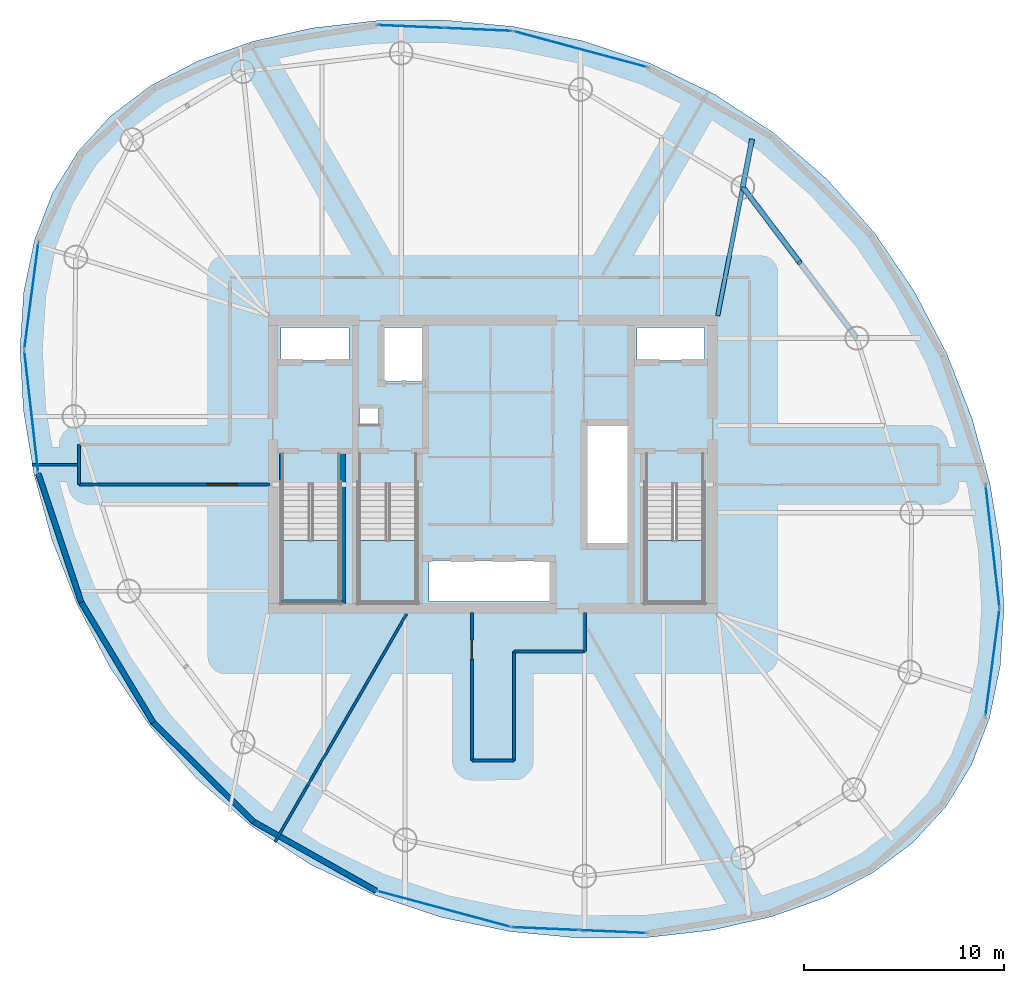
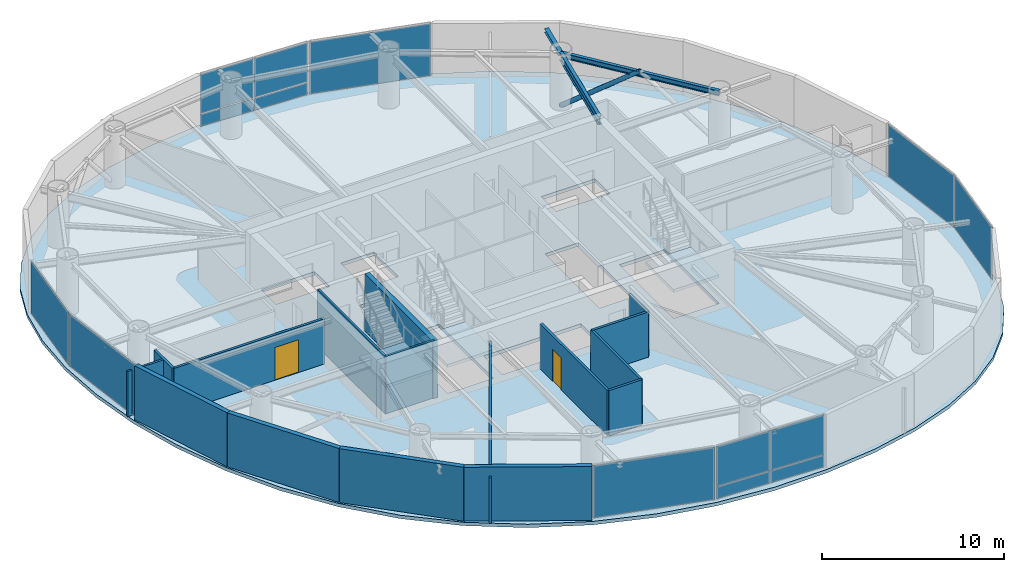
# One storey, part 13 of 20: 16 walls, 14 plates, 4 slabs, 3 beams, 2 doors, 1 member, 2 openings, 11 elements without a shape of their own.
"""IFC4 building model written with IfcOpenShell, lengths in metres."""

from ifc_helpers import new_model, si_unit, direction, frame, frame_2d, origin, origin_2d, place, context, subcontext, project, spatial, polyline, rectangle, hollow_circle, i_section, outline, extrude, material, layer, layer_set, material_profile, profile_set, type_object, element, fill, aggregate, save


model = new_model("IFC4")

# Units and contexts
model_context = context("Model", 3, precision=1e-05, world=origin(), true_north=direction((0.0, 1.0)))
body_context = subcontext(model_context, "Body", "Model", "MODEL_VIEW")
ifc_project = project(units=[si_unit("LENGTHUNIT", "METRE"), si_unit("AREAUNIT", "SQUARE_METRE"), si_unit("VOLUMEUNIT", "CUBIC_METRE"), si_unit("PLANEANGLEUNIT", "RADIAN"), si_unit("MASSUNIT", "GRAM", prefix="KILO")], contexts=[model_context])

# Site, building, storey
site_placement = place(None, origin())
site = spatial("IfcSite", under=ifc_project, at=site_placement, CompositionType="ELEMENT")
building_placement = place(site_placement, origin())
building = spatial("IfcBuilding", under=site, at=building_placement, Name="Bramvorn Convention Spire", CompositionType="ELEMENT")
storey_placement = place(building_placement, frame((0.0, 0.0, 178.89990234375)))
storey = spatial("IfcBuildingStorey", under=building, at=storey_placement, Name="L45", CompositionType="ELEMENT", Elevation=178.89990234375)

# Beams
ifc_material_1 = material(Name="Steel CSA G40.21 Grade 350 (350W)", Category="steel")
ifc_material_profile_1 = material_profile(ifc_material_1, i_section(OverallWidth=0.25390625, OverallDepth=0.2529296875, WebThickness=0.008544921875, FlangeThickness=0.01416015625, FilletRadius=0.011962890625, at=origin_2d()))
ifc_profile_set_1 = profile_set([ifc_material_profile_1], Name="Steel CSA G40.21 Grade 350 (350W) - W250X73")
beam_type_1 = type_object("IfcBeamType", Name="BM-W250X73", PredefinedType="BEAM", material=ifc_profile_set_1)
beam_1_placement = place(storey_placement, frame((50.501953125, 39.885009765625, 3.45849609375), z_axis=(0.191005953016, 0.981588878254, 0.0), x_axis=(-0.981588878254, 0.191005953016, 0.0)))
element("IfcBeam", 1, at=beam_1_placement, inside=storey, type_object=beam_type_1, Name="L45 slab-edge cantilever tip beam MC05", PredefinedType="BEAM", context=body_context, shape_type="SweptSolid", body=[
    extrude(i_section(OverallWidth=0.25390625, OverallDepth=0.2529296875, WebThickness=0.008544921875, FlangeThickness=0.01416015625, FilletRadius=0.011962890625, at=origin_2d()), origin(), (0.0, 0.0, 1.0), 2.445068359375),
])
ifc_material_profile_2 = material_profile(ifc_material_1, i_section(OverallWidth=0.205078125, OverallDepth=0.35400390625, WebThickness=0.009521484375, FlangeThickness=0.016845703125, FilletRadius=0.014892578125, at=origin_2d()))
ifc_profile_set_2 = profile_set([ifc_material_profile_2], Name="Steel CSA G40.21 Grade 350 (350W) - W360X79")
beam_type_2 = type_object("IfcBeamType", Name="BM-W360X79", PredefinedType="JOIST", material=ifc_profile_set_2)
beam_2_placement = place(storey_placement, frame((56.21044921875, 32.327392578125, 3.443115234375), z_axis=(-0.602718581414, 0.797953827999, 0.0), x_axis=(-0.797953827999, -0.602718581414, 0.0)))
element("IfcBeam", 2, at=beam_2_placement, inside=storey, type_object=beam_type_2, Name="L45 mega-column ring beam 04", PredefinedType="JOIST", context=body_context, shape_type="SweptSolid", body=[
    extrude(i_section(OverallWidth=0.205078125, OverallDepth=0.35400390625, WebThickness=0.009521484375, FlangeThickness=0.016845703125, FilletRadius=0.014892578125, at=origin_2d()), origin(), (0.0, 0.0, 1.0), 9.47119140625),
])
ifc_material_profile_3 = material_profile(ifc_material_1, i_section(OverallWidth=0.2119140625, OverallDepth=0.5439453125, WebThickness=0.01318359375, FlangeThickness=0.021240234375, FilletRadius=0.01904296875, at=origin_2d()))
ifc_profile_set_3 = profile_set([ifc_material_profile_3], Name="Steel CSA G40.21 Grade 350 (350W) - W530X123")
beam_type_3 = type_object("IfcBeamType", Name="BM-W530X123", PredefinedType="BEAM", material=ifc_profile_set_3)
beam_3_placement = place(storey_placement, frame((49.25, 33.449951171875, 3.34814453125), z_axis=(0.190971329886, 0.981595614885, 0.0), x_axis=(-0.981595614885, 0.190971329886, 0.0)))
element("IfcBeam", 3, at=beam_3_placement, inside=storey, type_object=beam_type_3, Name="L45 radial floor girder MC05", PredefinedType="BEAM", context=body_context, shape_type="SweptSolid", body=[
    extrude(i_section(OverallWidth=0.2119140625, OverallDepth=0.5439453125, WebThickness=0.01318359375, FlangeThickness=0.021240234375, FilletRadius=0.01904296875, at=origin_2d()), origin(), (0.0, 0.0, 1.0), 6.5556640625),
])

# Member
ifc_material_profile_4 = material_profile(ifc_material_1, hollow_circle(Radius=0.136474609375, WallThickness=0.0126953125, at=origin_2d()))
ifc_profile_set_4 = profile_set([ifc_material_profile_4], Name="Steel CSA G40.21 Grade 350 (350W) - CHS273X13")
member_type = type_object("IfcMemberType", Name="MBR-CHS273X13", PredefinedType="BRACE", material=ifc_profile_set_4)
member_placement = place(storey_placement, frame((50.501953125, 39.885009765625, 0.0), z_axis=(0.478834801206, -0.633941070316, 0.607318658137), x_axis=(0.797953827999, 0.602718581414, 0.0)))
element("IfcMember", 4, at=member_placement, inside=storey, type_object=member_type, Name="L45 perimeter Gothic lancet brace 4B", PredefinedType="BRACE", context=body_context, shape_type="SweptSolid", body=[
    extrude(hollow_circle(Radius=0.136474609375, WallThickness=0.0126953125, at=origin_2d()), origin(), (0.0, 0.0, 1.0), 5.9609375),
])

# Curtain wall, plate
ifc_material_2 = material(Name="Anodised Bronze Unitised Curtain Wall", Category="aluminium")
ifc_layer_1 = layer(ifc_material_2, 0.179931640625)
ifc_layer_set_1 = layer_set([ifc_layer_1], Name="Anodised Bronze Unitised Curtain Wall - CW-OFF-FRIT")
curtain_wall_type = type_object("IfcCurtainWallType", Name="CW-OFF-FRIT", PredefinedType="USERDEFINED", material=ifc_layer_set_1)
curtain_wall_1_placement = place(storey_placement, origin())
curtain_wall_1 = element("IfcCurtainWall", 5, at=curtain_wall_1_placement, inside=storey, type_object=curtain_wall_type, Name="L45 fritted glass curtain wall 02", ObjectType="UNITISED CURTAIN WALL", PredefinedType="USERDEFINED")
ifc_material_3 = material(Name="Laminated Low-E Glass (Triple IGU Solar Bronze Frit 28%)", Category="glass")
ifc_layer_2 = layer(ifc_material_3, 0.0400390625)
ifc_layer_set_2 = layer_set([ifc_layer_2], Name="Laminated Low-E Glass (Triple IGU Solar Bronze Frit 28%) - PNL-IGU-3")
plate_type = type_object("IfcPlateType", Name="PNL-IGU-3", PredefinedType="CURTAIN_PANEL", material=ifc_layer_set_2)
plate_1_placement = place(storey_placement, frame((62.998779296875, 16.10595703125, 0.06005859375), z_axis=(0.0, 0.0, 1.0), x_axis=(-0.13045782618, -0.991453859536, 0.0)))
plate_1 = element("IfcPlate", 6, at=plate_1_placement, type_object=plate_type, Name="CW3 panel 1.1", PredefinedType="CURTAIN_PANEL", context=body_context, shape_type="SweptSolid", body=[
    extrude(rectangle(XDim=5.344482421875, YDim=0.028076171875, at=origin_2d()), origin(), (0.0, 0.0, 1.0), 3.5),
])
aggregate(curtain_wall_1, [plate_1])

curtain_wall_2_placement = place(storey_placement, origin())
curtain_wall_2 = element("IfcCurtainWall", 7, at=curtain_wall_2_placement, inside=storey, type_object=curtain_wall_type, Name="L45 fritted glass curtain wall 03", ObjectType="UNITISED CURTAIN WALL", PredefinedType="USERDEFINED")
plate_2_placement = place(storey_placement, frame((63.00439453125, 21.908447265625, 0.06005859375), z_axis=(0.0, 0.0, 1.0), x_axis=(0.112714008999, -0.993627471528, 0.0)))
plate_2 = element("IfcPlate", 8, at=plate_2_placement, type_object=plate_type, Name="CW3 panel 1.1", PredefinedType="CURTAIN_PANEL", context=body_context, shape_type="SweptSolid", body=[
    extrude(rectangle(XDim=6.1064453125, YDim=0.028076171875, at=origin_2d()), origin(), (0.0, 0.0, 1.0), 3.5),
])
aggregate(curtain_wall_2, [plate_2])

curtain_wall_3_placement = place(storey_placement, origin())
curtain_wall_3 = element("IfcCurtainWall", 9, at=curtain_wall_3_placement, inside=storey, type_object=curtain_wall_type, Name="L45 fritted glass curtain wall 08", ObjectType="UNITISED CURTAIN WALL", PredefinedType="USERDEFINED")
plate_3_placement = place(storey_placement, frame((42.36767578125, 46.783447265625, 0.06005859375), z_axis=(0.0, 0.0, 1.0), x_axis=(0.965657571888, -0.259818116875, 0.0)))
plate_3 = element("IfcPlate", 10, at=plate_3_placement, type_object=plate_type, Name="CW3 panel 1.1", PredefinedType="CURTAIN_PANEL", context=body_context, shape_type="SweptSolid", body=[
    extrude(rectangle(XDim=6.897705078125, YDim=0.028076171875, at=origin_2d()), origin(), (0.0, 0.0, 1.0), 3.5),
])
aggregate(curtain_wall_3, [plate_3])

# Curtain wall, plates
curtain_wall_4_placement = place(storey_placement, origin())
curtain_wall_4 = element("IfcCurtainWall", 11, at=curtain_wall_4_placement, inside=storey, type_object=curtain_wall_type, Name="L45 fritted glass curtain wall 09", ObjectType="UNITISED CURTAIN WALL", PredefinedType="USERDEFINED")
plate_4_placement = place(storey_placement, frame((33.910888671875, 47.916259765625, 0.06005859375), z_axis=(0.0, 0.0, 1.0), x_axis=(0.999050392878, -0.043569628081, 0.0)))
plate_4 = element("IfcPlate", 12, at=plate_4_placement, type_object=plate_type, Name="CW3 panel 1.1", PredefinedType="CURTAIN_PANEL", context=body_context, shape_type="SweptSolid", body=[
    extrude(rectangle(XDim=3.30224609375, YDim=0.028076171875, at=origin_2d()), origin(), (0.0, 0.0, 1.0), 0.81005859375),
])
plate_5_placement = place(storey_placement, frame((33.910888671875, 47.916259765625, 0.93017578125), z_axis=(0.0, 0.0, 1.0), x_axis=(0.999050392878, -0.043569628081, 0.0)))
plate_5 = element("IfcPlate", 13, at=plate_5_placement, type_object=plate_type, Name="CW3 panel 1.2", PredefinedType="CURTAIN_PANEL", context=body_context, shape_type="SweptSolid", body=[
    extrude(rectangle(XDim=3.30224609375, YDim=0.028076171875, at=origin_2d()), origin(), (0.0, 0.0, 1.0), 2.6298828125),
])
plate_6_placement = place(storey_placement, frame((37.269775390625, 47.769775390625, 0.06005859375), z_axis=(0.0, 0.0, 1.0), x_axis=(0.999050392878, -0.043569628081, 0.0)))
plate_6 = element("IfcPlate", 14, at=plate_6_placement, type_object=plate_type, Name="CW3 panel 2.1", PredefinedType="CURTAIN_PANEL", context=body_context, shape_type="SweptSolid", body=[
    extrude(rectangle(XDim=3.30224609375, YDim=0.028076171875, at=origin_2d()), origin(), (0.0, 0.0, 1.0), 0.81005859375),
])
plate_7_placement = place(storey_placement, frame((37.269775390625, 47.769775390625, 0.93017578125), z_axis=(0.0, 0.0, 1.0), x_axis=(0.999050392878, -0.043569628081, 0.0)))
plate_7 = element("IfcPlate", 15, at=plate_7_placement, type_object=plate_type, Name="CW3 panel 2.2", PredefinedType="CURTAIN_PANEL", context=body_context, shape_type="SweptSolid", body=[
    extrude(rectangle(XDim=3.30224609375, YDim=0.028076171875, at=origin_2d()), origin(), (0.0, 0.0, 1.0), 2.6298828125),
])
aggregate(curtain_wall_4, [plate_4, plate_5, plate_6, plate_7])

# Curtain wall, plate
curtain_wall_5_placement = place(storey_placement, origin())
curtain_wall_5 = element("IfcCurtainWall", 16, at=curtain_wall_5_placement, inside=storey, type_object=curtain_wall_type, Name="L45 fritted glass curtain wall 14", ObjectType="UNITISED CURTAIN WALL", PredefinedType="USERDEFINED")
plate_8_placement = place(storey_placement, frame((14.916748046875, 34.447998046875, 0.06005859375), z_axis=(0.0, 0.0, 1.0), x_axis=(0.130460193143, 0.991453548082, 0.0)))
plate_8 = element("IfcPlate", 17, at=plate_8_placement, type_object=plate_type, Name="CW3 panel 1.1", PredefinedType="CURTAIN_PANEL", context=body_context, shape_type="SweptSolid", body=[
    extrude(rectangle(XDim=5.344482421875, YDim=0.028076171875, at=origin_2d()), origin(), (0.0, 0.0, 1.0), 3.5),
])
aggregate(curtain_wall_5, [plate_8])

curtain_wall_6_placement = place(storey_placement, origin())
curtain_wall_6 = element("IfcCurtainWall", 18, at=curtain_wall_6_placement, inside=storey, type_object=curtain_wall_type, Name="L45 fritted glass curtain wall 15", ObjectType="UNITISED CURTAIN WALL", PredefinedType="USERDEFINED")
plate_9_placement = place(storey_placement, frame((14.9111328125, 28.645751953125, 0.06005859375), z_axis=(0.0, 0.0, 1.0), x_axis=(-0.112698152297, 0.993629270135, 0.0)))
plate_9 = element("IfcPlate", 19, at=plate_9_placement, type_object=plate_type, Name="CW3 panel 1.1", PredefinedType="CURTAIN_PANEL", context=body_context, shape_type="SweptSolid", body=[
    extrude(rectangle(XDim=6.1064453125, YDim=0.028076171875, at=origin_2d()), origin(), (0.0, 0.0, 1.0), 3.5),
])
aggregate(curtain_wall_6, [plate_9])

curtain_wall_7_placement = place(storey_placement, origin())
curtain_wall_7 = element("IfcCurtainWall", 20, at=curtain_wall_7_placement, inside=storey, type_object=curtain_wall_type, Name="L45 fritted glass curtain wall 20", ObjectType="UNITISED CURTAIN WALL", PredefinedType="USERDEFINED")
plate_10_placement = place(storey_placement, frame((35.5478515625, 3.7705078125, 0.06005859375), z_axis=(0.0, 0.0, 1.0), x_axis=(-0.965653996581, 0.259831404738, 0.0)))
plate_10 = element("IfcPlate", 21, at=plate_10_placement, type_object=plate_type, Name="CW3 panel 1.1", PredefinedType="CURTAIN_PANEL", context=body_context, shape_type="SweptSolid", body=[
    extrude(rectangle(XDim=6.897705078125, YDim=0.028076171875, at=origin_2d()), origin(), (0.0, 0.0, 1.0), 3.5),
])
aggregate(curtain_wall_7, [plate_10])

# Curtain wall, plates
curtain_wall_8_placement = place(storey_placement, origin())
curtain_wall_8 = element("IfcCurtainWall", 22, at=curtain_wall_8_placement, inside=storey, type_object=curtain_wall_type, Name="L45 fritted glass curtain wall 21", ObjectType="UNITISED CURTAIN WALL", PredefinedType="USERDEFINED")
plate_11_placement = place(storey_placement, frame((44.004638671875, 2.6376953125, 0.06005859375), z_axis=(0.0, 0.0, 1.0), x_axis=(-0.999051034349, 0.043554916664, 0.0)))
plate_11 = element("IfcPlate", 23, at=plate_11_placement, type_object=plate_type, Name="CW3 panel 1.1", PredefinedType="CURTAIN_PANEL", context=body_context, shape_type="SweptSolid", body=[
    extrude(rectangle(XDim=3.30224609375, YDim=0.028076171875, at=origin_2d()), origin(), (0.0, 0.0, 1.0), 0.81005859375),
])
plate_12_placement = place(storey_placement, frame((44.004638671875, 2.6376953125, 0.93017578125), z_axis=(0.0, 0.0, 1.0), x_axis=(-0.999051034349, 0.043554916664, 0.0)))
plate_12 = element("IfcPlate", 24, at=plate_12_placement, type_object=plate_type, Name="CW3 panel 1.2", PredefinedType="CURTAIN_PANEL", context=body_context, shape_type="SweptSolid", body=[
    extrude(rectangle(XDim=3.30224609375, YDim=0.028076171875, at=origin_2d()), origin(), (0.0, 0.0, 1.0), 2.6298828125),
])
plate_13_placement = place(storey_placement, frame((40.6455078125, 2.7841796875, 0.06005859375), z_axis=(0.0, 0.0, 1.0), x_axis=(-0.999051034349, 0.043554916664, 0.0)))
plate_13 = element("IfcPlate", 25, at=plate_13_placement, type_object=plate_type, Name="CW3 panel 2.1", PredefinedType="CURTAIN_PANEL", context=body_context, shape_type="SweptSolid", body=[
    extrude(rectangle(XDim=3.30224609375, YDim=0.028076171875, at=origin_2d()), origin(), (0.0, 0.0, 1.0), 0.81005859375),
])
plate_14_placement = place(storey_placement, frame((40.6455078125, 2.7841796875, 0.93017578125), z_axis=(0.0, 0.0, 1.0), x_axis=(-0.999051034349, 0.043554916664, 0.0)))
plate_14 = element("IfcPlate", 26, at=plate_14_placement, type_object=plate_type, Name="CW3 panel 2.2", PredefinedType="CURTAIN_PANEL", context=body_context, shape_type="SweptSolid", body=[
    extrude(rectangle(XDim=3.30224609375, YDim=0.028076171875, at=origin_2d()), origin(), (0.0, 0.0, 1.0), 2.6298828125),
])
aggregate(curtain_wall_8, [plate_11, plate_12, plate_13, plate_14])

# Stair, slab
ifc_material_4 = material(Name="Concrete C40/50 Precast Stair", Category="concrete")
stair_type = type_object("IfcStairType", Name="ST-TOWER-1550", PredefinedType="HALF_TURN_STAIR", material=ifc_material_4)
stair_1_placement = place(storey_placement, origin())
stair_1 = element("IfcStair", 27, at=stair_1_placement, inside=storey, type_object=stair_type, Name="L45 Protected Exit Stair ST1", PredefinedType="HALF_TURN_STAIR")
ifc_material_5 = material(Name="Concrete C40/50 Stair Landing", Category="concrete")
ifc_layer_3 = layer(ifc_material_5, 0.219970703125)
ifc_layer_set_3 = layer_set([ifc_layer_3], Name="Concrete C40/50 Stair Landing - SLB-STAIR-LANDING")
slab_type_1 = type_object("IfcSlabType", Name="SLB-STAIR-LANDING", PredefinedType="LANDING", material=ifc_layer_set_3)
slab_1_placement = place(storey_placement, frame((0.0, 0.0, 1.72509765625)))
slab_1 = element("IfcSlab", 28, at=slab_1_placement, type_object=slab_type_1, Name="ST1 landing 1", PredefinedType="LANDING", context=body_context, shape_type="SweptSolid", body=[
    extrude(outline(polyline([(27.449951171875, 22.199951171875), (27.449951171875, 19.10009765625), (30.35009765625, 19.10009765625), (30.35009765625, 22.199951171875), (27.449951171875, 22.199951171875)])), origin(), (0.0, 0.0, 1.0), 0.199951171875),
])
aggregate(stair_1, [slab_1])

stair_2_placement = place(storey_placement, origin())
stair_2 = element("IfcStair", 29, at=stair_2_placement, inside=storey, type_object=stair_type, Name="L45 Protected Exit Stair ST2", PredefinedType="HALF_TURN_STAIR")
slab_2_placement = place(storey_placement, frame((0.0, 0.0, 1.72509765625)))
slab_2 = element("IfcSlab", 30, at=slab_2_placement, type_object=slab_type_1, Name="ST2 landing 1", PredefinedType="LANDING", context=body_context, shape_type="SweptSolid", body=[
    extrude(outline(polyline([(45.64990234375, 22.199951171875), (45.64990234375, 19.10009765625), (48.550048828125, 19.10009765625), (48.550048828125, 22.199951171875), (45.64990234375, 22.199951171875)])), origin(), (0.0, 0.0, 1.0), 0.199951171875),
])
aggregate(stair_2, [slab_2])

stair_3_placement = place(storey_placement, origin())
stair_3 = element("IfcStair", 31, at=stair_3_placement, inside=storey, type_object=stair_type, Name="L45 Protected Exit Stair ST3", PredefinedType="HALF_TURN_STAIR")
slab_3_placement = place(storey_placement, frame((0.0, 0.0, 1.72509765625)))
slab_3 = element("IfcSlab", 32, at=slab_3_placement, type_object=slab_type_1, Name="ST3 landing 1", PredefinedType="LANDING", context=body_context, shape_type="SweptSolid", body=[
    extrude(outline(polyline([(31.300048828125, 22.199951171875), (31.300048828125, 19.10009765625), (34.199951171875, 19.10009765625), (34.199951171875, 22.199951171875), (31.300048828125, 22.199951171875)])), origin(), (0.0, 0.0, 1.0), 0.199951171875),
])
aggregate(stair_3, [slab_3])

# Slab
ifc_material_6 = material(Name="Concrete C40/50", Category="concrete")
ifc_layer_4 = layer(ifc_material_6, 0.22998046875)
ifc_layer_set_4 = layer_set([ifc_layer_4], Name="Concrete C40/50 - SLB-Z3-230")
slab_type_2 = type_object("IfcSlabType", Name="SLB-Z3-230", PredefinedType="FLOOR", material=ifc_layer_set_4)
slab_4_placement = place(storey_placement, frame((0.0, 0.0, -0.22998046875)))
element("IfcSlab", 33, at=slab_4_placement, inside=storey, type_object=slab_type_2, Name="L45 tower floor slab", PredefinedType="FLOOR", context=body_context, shape_type="SweptSolid", body=[
    extrude(outline(polyline([(60.666259765625, 8.888671875), (61.939208984375, 10.9609375), (62.843994140625, 13.311279296875), (63.38623046875, 15.927978515625), (63.571044921875, 18.784423828125), (63.400146484375, 21.8388671875), (62.871337890625, 25.031982421875), (61.97998046875, 28.291015625), (60.719482421875, 31.53125), (59.0869140625, 34.664794921875), (57.084716796875, 37.604248046875), (54.72607421875, 40.271728515625), (52.037109375, 42.602294921875), (49.058837890625, 44.5498046875), (45.847412109375, 46.08740234375), (42.4716796875, 47.207763671875), (39.010986328125, 47.919677734375), (35.54931640625, 48.244140625), (32.1708984375, 48.208740234375), (28.954833984375, 47.84228515625), (25.970703125, 47.169921875), (23.27392578125, 46.209716796875), (20.906005859375, 44.97119140625), (18.893310546875, 43.457275390625), (17.2490234375, 41.665283203125), (15.976318359375, 39.593017578125), (15.071533203125, 37.24267578125), (14.529296875, 34.626220703125), (14.344482421875, 31.76953125), (14.515380859375, 28.715087890625), (15.0439453125, 25.52197265625), (15.935546875, 22.26318359375), (17.19580078125, 19.022705078125), (18.82861328125, 15.88916015625), (20.830810546875, 12.94970703125), (23.189453125, 10.2822265625), (25.87841796875, 7.95166015625), (28.856689453125, 6.004150390625), (32.068115234375, 4.46630859375), (35.443603515625, 3.34619140625), (38.904541015625, 2.63427734375), (42.3662109375, 2.309814453125), (45.74462890625, 2.34521484375), (48.960693359375, 2.711669921875), (51.94482421875, 3.384033203125), (54.6416015625, 4.344482421875), (57.009521484375, 5.582763671875), (59.02197265625, 7.0966796875), (60.666259765625, 8.888671875)]), holes=[polyline([(27.449951171875, 25.050048828125), (27.449951171875, 19.10009765625), (30.35009765625, 19.10009765625), (30.35009765625, 25.050048828125), (27.449951171875, 25.050048828125)]), polyline([(45.64990234375, 25.050048828125), (45.64990234375, 19.10009765625), (48.550048828125, 19.10009765625), (48.550048828125, 25.050048828125), (45.64990234375, 25.050048828125)]), polyline([(31.300048828125, 25.050048828125), (31.300048828125, 19.10009765625), (34.199951171875, 19.10009765625), (34.199951171875, 25.050048828125), (31.300048828125, 25.050048828125)]), polyline([(27.39990234375, 31.219970703125), (30.800048828125, 31.219970703125), (30.800048828125, 32.85009765625), (27.39990234375, 32.85009765625), (27.39990234375, 31.219970703125)]), polyline([(45.199951171875, 31.219970703125), (48.60009765625, 31.219970703125), (48.60009765625, 32.85009765625), (45.199951171875, 32.85009765625), (45.199951171875, 31.219970703125)]), polyline([(32.449951171875, 30.14990234375), (34.56005859375, 30.14990234375), (34.56005859375, 32.85009765625), (32.449951171875, 32.85009765625), (32.449951171875, 30.14990234375)]), polyline([(34.800048828125, 19.14990234375), (40.97998046875, 19.14990234375), (40.97998046875, 21.199951171875), (34.800048828125, 21.199951171875), (34.800048828125, 19.14990234375)]), polyline([(42.6201171875, 22.0), (44.75, 22.0), (44.75, 28.0), (42.6201171875, 28.0), (42.6201171875, 22.0)]), polyline([(31.320068359375, 28.02001953125), (32.280029296875, 28.02001953125), (32.280029296875, 28.820068359375), (31.320068359375, 28.820068359375), (31.320068359375, 28.02001953125)])]), origin(), (0.0, 0.0, 1.0), 0.22998046875),
])

# Walls
ifc_material_7 = material(Name="Precast Concrete C40/50 with Bronze Terracotta Rainscreen", Category="masonry")
ifc_layer_5 = layer(ifc_material_7, 0.300048828125)
ifc_layer_set_5 = layer_set([ifc_layer_5], Name="Precast Concrete C40/50 with Bronze Terracotta Rainscreen - WL-EXT-BRONZE-300")
wall_type_1 = type_object("IfcWallType", Name="WL-EXT-BRONZE-300", PredefinedType="SOLIDWALL", material=ifc_layer_set_5)
wall_1_placement = place(storey_placement, frame((17.403076171875, 19.114501953125, 0.0), z_axis=(0.0, 0.0, 1.0), x_axis=(-0.315590755591, 0.948895397283, 0.0)))
element("IfcWall", 34, at=wall_1_placement, inside=storey, type_object=wall_type_1, Name="L45 expressed bronze Gothic lancet pier wall 16", PredefinedType="SOLIDWALL", context=body_context, shape_type="SweptSolid", body=[
    extrude(rectangle(XDim=6.784423828125, YDim=0.280029296875, at=frame_2d((3.39208984375, 0.0))), origin(), (0.0, 0.0, 1.0), 3.6201171875),
])
wall_2_placement = place(storey_placement, frame((21.01318359375, 13.0966796875, 0.0), z_axis=(0.0, 0.0, 1.0), x_axis=(-0.514434360632, 0.857529759601, 0.0)))
element("IfcWall", 35, at=wall_2_placement, inside=storey, type_object=wall_type_1, Name="L45 expressed bronze Gothic lancet pier wall 17", PredefinedType="SOLIDWALL", context=body_context, shape_type="SweptSolid", body=[
    extrude(rectangle(XDim=7.017578125, YDim=0.280029296875, at=frame_2d((3.5087890625, 0.0))), origin(), (0.0, 0.0, 1.0), 3.6201171875),
])
wall_3_placement = place(storey_placement, frame((26.021484375, 8.14111328125, 0.0), z_axis=(0.0, 0.0, 1.0), x_axis=(-0.710839231307, 0.703354524572, 0.0)))
element("IfcWall", 36, at=wall_3_placement, inside=storey, type_object=wall_type_1, Name="L45 expressed bronze Gothic lancet pier wall 18", PredefinedType="SOLIDWALL", context=body_context, shape_type="SweptSolid", body=[
    extrude(rectangle(XDim=7.045654296875, YDim=0.280029296875, at=frame_2d((3.52294921875, 0.0))), origin(), (0.0, 0.0, 1.0), 3.6201171875),
])
wall_4_placement = place(storey_placement, frame((32.159423828125, 4.68212890625, 0.0), z_axis=(0.0, 0.0, 1.0), x_axis=(-0.871187511023, 0.490950425845, 0.0)))
element("IfcWall", 37, at=wall_4_placement, inside=storey, type_object=wall_type_1, Name="L45 expressed bronze Gothic lancet pier wall 19", PredefinedType="SOLIDWALL", context=body_context, shape_type="SweptSolid", body=[
    extrude(rectangle(XDim=7.04541015625, YDim=0.280029296875, at=frame_2d((3.522705078125, 0.0))), origin(), (0.0, 0.0, 1.0), 3.6201171875),
])
ifc_material_8 = material(Name="Metal-Stud Demountable Office Partition", Category="gypsum")
ifc_layer_6 = layer(ifc_material_8, 0.1298828125)
ifc_layer_set_6 = layer_set([ifc_layer_6], Name="Metal-Stud Demountable Office Partition - WL-PART-130")
wall_type_2 = type_object("IfcWallType", Name="WL-PART-130", PredefinedType="PARTITIONING", material=ifc_layer_set_6)
wall_5_placement = place(storey_placement, frame((17.316650390625, 26.0, 0.0), z_axis=(0.0, 0.0, 1.0), x_axis=(-1.0, 0.0, 0.0)))
element("IfcWall", 38, at=wall_5_placement, inside=storey, type_object=wall_type_2, Name="L45 Tenant suite partition 4", PredefinedType="PARTITIONING", context=body_context, shape_type="SweptSolid", body=[
    extrude(rectangle(XDim=2.382080078125, YDim=0.1298828125, at=frame_2d((1.19091796875, 0.0))), origin(), (0.0, 0.0, 1.0), 3.03515625),
])
wall_6_placement = place(storey_placement, frame((33.687255859375, 18.530029296875, 0.0), z_axis=(0.0, 0.0, 1.0), x_axis=(-0.499996112969, -0.866027647951, 0.0)))
element("IfcWall", 39, at=wall_6_placement, inside=storey, type_object=wall_type_2, Name="L45 Tenant suite partition 5", PredefinedType="PARTITIONING", context=body_context, shape_type="SweptSolid", body=[
    extrude(rectangle(XDim=13.1796875, YDim=0.1298828125, at=frame_2d((6.58984375, 0.0))), origin(), (0.0, 0.0, 1.0), 3.03515625),
])

# Wall, opening, door
ifc_material_9 = material(Name="Acoustic Metal-Stud Tenant/Corridor Partition", Category="gypsum")
ifc_layer_7 = layer(ifc_material_9, 0.14990234375)
ifc_layer_set_7 = layer_set([ifc_layer_7], Name="Acoustic Metal-Stud Tenant/Corridor Partition - WL-PART-150")
wall_type_3 = type_object("IfcWallType", Name="WL-PART-150", PredefinedType="PARTITIONING", material=ifc_layer_set_7)
wall_7_placement = place(storey_placement, frame((17.290771484375, 25.0, 0.0), z_axis=(0.0, 0.0, 1.0), x_axis=(1.0, 0.0, 0.0)))
wall_7 = element("IfcWall", 40, at=wall_7_placement, inside=storey, type_object=wall_type_3, Name="L45 West wing spine south wall", PredefinedType="PARTITIONING", context=body_context, shape_type="SweptSolid", body=[
    extrude(rectangle(XDim=9.559326171875, YDim=0.14990234375, at=frame_2d((4.77978515625, 0.0))), origin(), (0.0, 0.0, 1.0), 3.03515625),
])
opening_1_placement = place(wall_7_placement, frame((6.41943359375, 0.0, 0.0)))
opening_1 = element("IfcOpeningElement", 41, at=opening_1_placement, cuts=wall_7, Name="Opening DC-150", PredefinedType="OPENING", context=body_context, shape_type="SweptSolid", body=[
    extrude(rectangle(XDim=1.5, YDim=2.199951171875, at=frame_2d((0.75, 1.10009765625))), frame((0.0, 0.0849609375, 0.0), z_axis=(0.0, -1.0, 0.0), x_axis=(1.0, 0.0, 0.0)), (0.0, 0.0, 1.0), 0.169921875),
])
ifc_material_10 = material(Name="Double-Leaf Smoke-Control Corridor Door", Category="wood")
door_type_1 = type_object("IfcDoorType", Name="DR-COR-1500", OperationType="NOTDEFINED", PredefinedType="DOOR", material=ifc_material_10)
door_1_placement = place(opening_1_placement, origin())
door_1 = element("IfcDoor", 42, at=door_1_placement, inside=storey, type_object=door_type_1, Name="L45 Open-Plan Design Office D 4 door", OperationType="DOUBLE_DOOR_SINGLE_SWING", OverallHeight=2.199951171875, OverallWidth=1.5, PredefinedType="DOOR", context=body_context, shape_type="SweptSolid", body=[
    extrude(rectangle(XDim=1.5, YDim=2.199951171875, at=frame_2d((0.75, 1.10009765625))), frame((0.0, 0.02490234375, 0.0), z_axis=(0.0, -1.0, 0.0), x_axis=(1.0, 0.0, 0.0)), (0.0, 0.0, 1.0), 0.050048828125),
])
fill(opening_1, door_1)

# Wall
wall_8_placement = place(storey_placement, frame((17.290771484375, 25.0, 0.0), z_axis=(0.0, 0.0, 1.0), x_axis=(0.0, 1.0, 0.0)))
element("IfcWall", 43, at=wall_8_placement, inside=storey, type_object=wall_type_3, Name="L45 West wing spine end wall", PredefinedType="PARTITIONING", context=body_context, shape_type="SweptSolid", body=[
    extrude(rectangle(XDim=2.0, YDim=0.14990234375, at=frame_2d((1.0, 0.0))), origin(), (0.0, 0.0, 1.0), 3.03515625),
])

# Wall, opening, door
wall_9_placement = place(storey_placement, frame((36.949951171875, 11.199951171875, 0.0), z_axis=(0.0, 0.0, 1.0), x_axis=(0.0, 1.0, 0.0)))
wall_9 = element("IfcWall", 44, at=wall_9_placement, inside=storey, type_object=wall_type_3, Name="L45 South axial spine west wall", PredefinedType="PARTITIONING", context=body_context, shape_type="SweptSolid", body=[
    extrude(rectangle(XDim=7.400146484375, YDim=0.14990234375, at=frame_2d((3.7001953125, 0.0))), origin(), (0.0, 0.0, 1.0), 3.03515625),
])
opening_2_placement = place(wall_9_placement, frame((5.074951171875, 0.0, 0.0)))
opening_2 = element("IfcOpeningElement", 45, at=opening_2_placement, cuts=wall_9, Name="Opening DH-095", PredefinedType="OPENING", context=body_context, shape_type="SweptSolid", body=[
    extrude(rectangle(XDim=0.949951171875, YDim=2.14990234375, at=frame_2d((0.47509765625, 1.074951171875))), frame((0.0, 0.0849609375, 0.0), z_axis=(0.0, -1.0, 0.0), x_axis=(1.0, 0.0, 0.0)), (0.0, 0.0, 1.0), 0.169921875),
])
ifc_material_11 = material(Name="Solid-Core Acoustic Guestroom Entry Door", Category="wood")
door_type_2 = type_object("IfcDoorType", Name="DR-HOTEL-950", OperationType="NOTDEFINED", PredefinedType="DOOR", material=ifc_material_11)
door_2_placement = place(opening_2_placement, origin())
door_2 = element("IfcDoor", 46, at=door_2_placement, inside=storey, type_object=door_type_2, Name="L45 Client Meeting Boardroom 5 door", OperationType="SINGLE_SWING_RIGHT", OverallHeight=2.14990234375, OverallWidth=0.949951171875, PredefinedType="DOOR", context=body_context, shape_type="SweptSolid", body=[
    extrude(rectangle(XDim=0.949951171875, YDim=2.14990234375, at=frame_2d((0.47509765625, 1.074951171875))), frame((0.0, 0.02490234375, 0.0), z_axis=(0.0, -1.0, 0.0), x_axis=(1.0, 0.0, 0.0)), (0.0, 0.0, 1.0), 0.050048828125),
])
fill(opening_2, door_2)

# Walls
wall_10_placement = place(storey_placement, frame((39.050048828125, 11.199951171875, 0.0), z_axis=(0.0, 0.0, 1.0), x_axis=(0.0, 1.0, 0.0)))
element("IfcWall", 47, at=wall_10_placement, inside=storey, type_object=wall_type_3, Name="L45 South axial spine east wall", PredefinedType="PARTITIONING", context=body_context, shape_type="SweptSolid", body=[
    extrude(rectangle(XDim=5.449951171875, YDim=0.14990234375, at=frame_2d((2.72509765625, 0.0))), origin(), (0.0, 0.0, 1.0), 3.03515625),
])
wall_11_placement = place(storey_placement, frame((39.050048828125, 16.64990234375, 0.0), z_axis=(0.0, 0.0, 1.0), x_axis=(1.0, 0.0, 0.0)))
element("IfcWall", 48, at=wall_11_placement, inside=storey, type_object=wall_type_3, Name="L45 South lift lobby link wall", PredefinedType="PARTITIONING", context=body_context, shape_type="SweptSolid", body=[
    extrude(rectangle(XDim=3.550048828125, YDim=0.14990234375, at=frame_2d((1.77490234375, 0.0))), origin(), (0.0, 0.0, 1.0), 3.03515625),
])
wall_12_placement = place(storey_placement, frame((42.60009765625, 16.64990234375, 0.0), z_axis=(0.0, 0.0, 1.0), x_axis=(0.0, 1.0, 0.0)))
element("IfcWall", 49, at=wall_12_placement, inside=storey, type_object=wall_type_3, Name="L45 South lift lobby east cheek", PredefinedType="PARTITIONING", context=body_context, shape_type="SweptSolid", body=[
    extrude(rectangle(XDim=1.9501953125, YDim=0.14990234375, at=frame_2d((0.97509765625, 0.0))), origin(), (0.0, 0.0, 1.0), 3.03515625),
])
wall_13_placement = place(storey_placement, frame((36.949951171875, 11.199951171875, 0.0), z_axis=(0.0, 0.0, 1.0), x_axis=(1.0, 0.0, 0.0)))
element("IfcWall", 50, at=wall_13_placement, inside=storey, type_object=wall_type_3, Name="L45 South axial spine end wall", PredefinedType="PARTITIONING", context=body_context, shape_type="SweptSolid", body=[
    extrude(rectangle(XDim=2.10009765625, YDim=0.14990234375, at=frame_2d((1.050048828125, 0.0))), origin(), (0.0, 0.0, 1.0), 3.03515625),
])
ifc_material_12 = material(Name="Concrete C50/60", Category="concrete")
ifc_layer_8 = layer(ifc_material_12, 0.300048828125)
ifc_layer_set_8 = layer_set([ifc_layer_8], Name="Concrete C50/60 - WL-POD-STAIR-300")
wall_type_4 = type_object("IfcWallType", Name="WL-POD-STAIR-300", PredefinedType="SHEAR", material=ifc_layer_set_8)
wall_14_placement = place(storey_placement, frame((30.489990234375, 19.050048828125, 0.0), z_axis=(0.0, 0.0, 1.0), x_axis=(0.0, 1.0, 0.0)))
element("IfcWall", 51, at=wall_14_placement, inside=storey, type_object=wall_type_4, Name="L45 ST1 east bearing wall", PredefinedType="SHEAR", context=body_context, shape_type="SweptSolid", body=[
    extrude(rectangle(XDim=7.5, YDim=0.300048828125, at=frame_2d((3.75, 0.0))), origin(), (0.0, 0.0, 1.0), 3.85009765625),
])
ifc_layer_9 = layer(ifc_material_12, 0.1201171875)
ifc_layer_set_9 = layer_set([ifc_layer_9], Name="Concrete C50/60 - WL-STAIR-RC-120")
wall_type_5 = type_object("IfcWallType", Name="WL-STAIR-RC-120", PredefinedType="SHEAR", material=ifc_layer_set_9)
wall_15_placement = place(storey_placement, frame((27.39501953125, 19.10009765625, 0.0), z_axis=(0.0, 0.0, 1.0), x_axis=(0.0, 1.0, 0.0)))
element("IfcWall", 52, at=wall_15_placement, inside=storey, type_object=wall_type_5, Name="L45 ST1 west bearing shear wall", PredefinedType="SHEAR", context=body_context, shape_type="SweptSolid", body=[
    extrude(rectangle(XDim=7.449951171875, YDim=0.1201171875, at=frame_2d((3.72509765625, 0.0))), origin(), (0.0, 0.0, 1.0), 3.85009765625),
])
wall_16_placement = place(storey_placement, frame((27.39501953125, 19.159912109375, 0.0), z_axis=(0.0, 0.0, 1.0), x_axis=(1.0, 0.0, 0.0)))
element("IfcWall", 53, at=wall_16_placement, inside=storey, type_object=wall_type_5, Name="L45 ST1 south bearing shear wall", PredefinedType="SHEAR", context=body_context, shape_type="SweptSolid", body=[
    extrude(rectangle(XDim=3.094970703125, YDim=0.1201171875, at=frame_2d((1.54736328125, 0.0))), origin(), (0.0, 0.0, 1.0), 3.85009765625),
])

save(model, "model.ifc")
